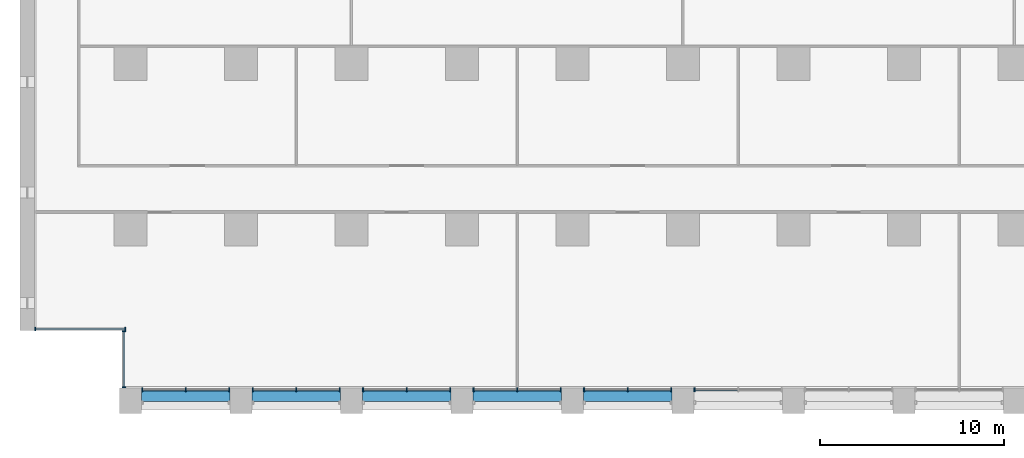
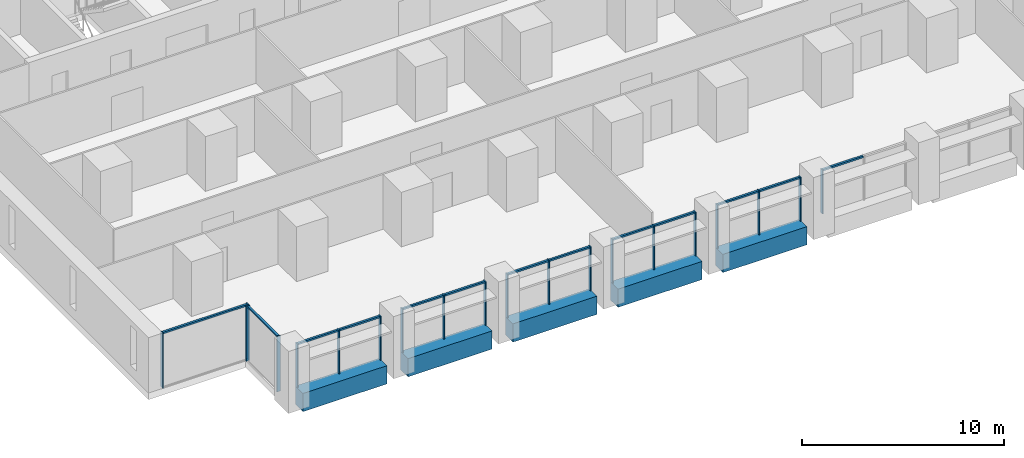
# One storey, part 2 of 18: 33 members, 5 beams, 8 elements without a shape of their own.
"""IFC4 building model written with IfcOpenShell, lengths in metres."""

from ifc_helpers import new_model, si_unit, direction, frame, origin, origin_2d, place, context, subcontext, project, spatial, rectangle, extrude, material, material_profile, profile_set, type_object, element, aggregate, save


model = new_model("IFC4")

# Units and contexts
model_context = context("Model", 3, precision=1e-05, world=origin(), true_north=direction((0.0, 1.0)))
body_context = subcontext(model_context, "Body", "Model", "MODEL_VIEW")
ifc_project = project(units=[si_unit("LENGTHUNIT", "METRE"), si_unit("AREAUNIT", "SQUARE_METRE"), si_unit("VOLUMEUNIT", "CUBIC_METRE"), si_unit("PLANEANGLEUNIT", "RADIAN"), si_unit("MASSUNIT", "GRAM", prefix="KILO")], contexts=[model_context])

# Site, building, storey
site_placement = place(None, origin())
site = spatial("IfcSite", under=ifc_project, at=site_placement, CompositionType="ELEMENT")
building_placement = place(site_placement, origin())
building = spatial("IfcBuilding", under=site, at=building_placement, Name="Calvaro Tower", CompositionType="ELEMENT")
storey_placement = place(building_placement, frame((0.0, 0.0, 33.75)))
storey = spatial("IfcBuildingStorey", under=building, at=storey_placement, Name="L07", CompositionType="ELEMENT", Elevation=33.75)

# Curtain wall, members
ifc_material_1 = material(Name="Anodised aluminium", Category="aluminium")
curtain_wall_type = type_object("IfcCurtainWallType", Name="Office curtain wall, lower zone", PredefinedType="NOTDEFINED", material=ifc_material_1)
curtain_wall_1_placement = place(storey_placement, origin())
curtain_wall_1 = element("IfcCurtainWall", 1, at=curtain_wall_1_placement, inside=storey, type_object=curtain_wall_type, Name="CW1 south curtain wall", PredefinedType="NOTDEFINED")
ifc_material_2 = material(Name="Anodised aluminium", Category="aluminium")
ifc_material_profile_1 = material_profile(ifc_material_2, rectangle(XDim=0.199951171875, YDim=0.06005859375, at=origin_2d()), Name="Mullion S1 60 x 200")
ifc_profile_set_1 = profile_set([ifc_material_profile_1], Name="Anodised aluminium")
member_type_1 = type_object("IfcMemberType", Name="Mullion S1 60 x 200", PredefinedType="MULLION", material=ifc_profile_set_1)
member_1_placement = place(storey_placement, frame((6.6298828125, 1.300048828125, 0.0), z_axis=(0.0, 0.0, 1.0), x_axis=(0.0, 1.0, 0.0)))
member_1 = element("IfcMember", 2, at=member_1_placement, type_object=member_type_1, Name="CW1 mullion 1", PredefinedType="MULLION", context=body_context, shape_type="SweptSolid", body=[
    extrude(rectangle(XDim=0.199951171875, YDim=0.06005859375, at=origin_2d()), origin(), (0.0, 0.0, 1.0), 2.64990234375),
])
member_2_placement = place(storey_placement, frame((9.0, 1.300048828125, 0.0), z_axis=(0.0, 0.0, 1.0), x_axis=(0.0, 1.0, 0.0)))
member_2 = element("IfcMember", 3, at=member_2_placement, type_object=member_type_1, Name="CW1 mullion 2", PredefinedType="MULLION", context=body_context, shape_type="SweptSolid", body=[
    extrude(rectangle(XDim=0.199951171875, YDim=0.06005859375, at=origin_2d()), origin(), (0.0, 0.0, 1.0), 2.64990234375),
])
member_3_placement = place(storey_placement, frame((11.3701171875, 1.300048828125, 0.0), z_axis=(0.0, 0.0, 1.0), x_axis=(0.0, 1.0, 0.0)))
member_3 = element("IfcMember", 4, at=member_3_placement, type_object=member_type_1, Name="CW1 mullion 3", PredefinedType="MULLION", context=body_context, shape_type="SweptSolid", body=[
    extrude(rectangle(XDim=0.199951171875, YDim=0.06005859375, at=origin_2d()), origin(), (0.0, 0.0, 1.0), 2.64990234375),
])

curtain_wall_2_placement = place(storey_placement, origin())
curtain_wall_2 = element("IfcCurtainWall", 5, at=curtain_wall_2_placement, inside=storey, type_object=curtain_wall_type, Name="CW1 south curtain wall", PredefinedType="NOTDEFINED")
member_4_placement = place(storey_placement, frame((12.6298828125, 1.300048828125, 0.0), z_axis=(0.0, 0.0, 1.0), x_axis=(0.0, 1.0, 0.0)))
member_4 = element("IfcMember", 6, at=member_4_placement, type_object=member_type_1, Name="CW1 mullion 1", PredefinedType="MULLION", context=body_context, shape_type="SweptSolid", body=[
    extrude(rectangle(XDim=0.199951171875, YDim=0.06005859375, at=origin_2d()), origin(), (0.0, 0.0, 1.0), 2.64990234375),
])
member_5_placement = place(storey_placement, frame((15.0, 1.300048828125, 0.0), z_axis=(0.0, 0.0, 1.0), x_axis=(0.0, 1.0, 0.0)))
member_5 = element("IfcMember", 7, at=member_5_placement, type_object=member_type_1, Name="CW1 mullion 2", PredefinedType="MULLION", context=body_context, shape_type="SweptSolid", body=[
    extrude(rectangle(XDim=0.199951171875, YDim=0.06005859375, at=origin_2d()), origin(), (0.0, 0.0, 1.0), 2.64990234375),
])
member_6_placement = place(storey_placement, frame((17.3701171875, 1.300048828125, 0.0), z_axis=(0.0, 0.0, 1.0), x_axis=(0.0, 1.0, 0.0)))
member_6 = element("IfcMember", 8, at=member_6_placement, type_object=member_type_1, Name="CW1 mullion 3", PredefinedType="MULLION", context=body_context, shape_type="SweptSolid", body=[
    extrude(rectangle(XDim=0.199951171875, YDim=0.06005859375, at=origin_2d()), origin(), (0.0, 0.0, 1.0), 2.64990234375),
])

curtain_wall_3_placement = place(storey_placement, origin())
curtain_wall_3 = element("IfcCurtainWall", 9, at=curtain_wall_3_placement, inside=storey, type_object=curtain_wall_type, Name="CW1 south curtain wall", PredefinedType="NOTDEFINED")
member_7_placement = place(storey_placement, frame((18.6298828125, 1.300048828125, 0.0), z_axis=(0.0, 0.0, 1.0), x_axis=(0.0, 1.0, 0.0)))
member_7 = element("IfcMember", 10, at=member_7_placement, type_object=member_type_1, Name="CW1 mullion 1", PredefinedType="MULLION", context=body_context, shape_type="SweptSolid", body=[
    extrude(rectangle(XDim=0.199951171875, YDim=0.06005859375, at=origin_2d()), origin(), (0.0, 0.0, 1.0), 2.64990234375),
])
member_8_placement = place(storey_placement, frame((21.0, 1.300048828125, 0.0), z_axis=(0.0, 0.0, 1.0), x_axis=(0.0, 1.0, 0.0)))
member_8 = element("IfcMember", 11, at=member_8_placement, type_object=member_type_1, Name="CW1 mullion 2", PredefinedType="MULLION", context=body_context, shape_type="SweptSolid", body=[
    extrude(rectangle(XDim=0.199951171875, YDim=0.06005859375, at=origin_2d()), origin(), (0.0, 0.0, 1.0), 2.64990234375),
])
member_9_placement = place(storey_placement, frame((23.3701171875, 1.300048828125, 0.0), z_axis=(0.0, 0.0, 1.0), x_axis=(0.0, 1.0, 0.0)))
member_9 = element("IfcMember", 12, at=member_9_placement, type_object=member_type_1, Name="CW1 mullion 3", PredefinedType="MULLION", context=body_context, shape_type="SweptSolid", body=[
    extrude(rectangle(XDim=0.199951171875, YDim=0.06005859375, at=origin_2d()), origin(), (0.0, 0.0, 1.0), 2.64990234375),
])

curtain_wall_4_placement = place(storey_placement, origin())
curtain_wall_4 = element("IfcCurtainWall", 13, at=curtain_wall_4_placement, inside=storey, type_object=curtain_wall_type, Name="CW1 south curtain wall", PredefinedType="NOTDEFINED")
member_10_placement = place(storey_placement, frame((24.6298828125, 1.300048828125, 0.0), z_axis=(0.0, 0.0, 1.0), x_axis=(0.0, 1.0, 0.0)))
member_10 = element("IfcMember", 14, at=member_10_placement, type_object=member_type_1, Name="CW1 mullion 1", PredefinedType="MULLION", context=body_context, shape_type="SweptSolid", body=[
    extrude(rectangle(XDim=0.199951171875, YDim=0.06005859375, at=origin_2d()), origin(), (0.0, 0.0, 1.0), 2.64990234375),
])
member_11_placement = place(storey_placement, frame((27.0, 1.300048828125, 0.0), z_axis=(0.0, 0.0, 1.0), x_axis=(0.0, 1.0, 0.0)))
member_11 = element("IfcMember", 15, at=member_11_placement, type_object=member_type_1, Name="CW1 mullion 2", PredefinedType="MULLION", context=body_context, shape_type="SweptSolid", body=[
    extrude(rectangle(XDim=0.199951171875, YDim=0.06005859375, at=origin_2d()), origin(), (0.0, 0.0, 1.0), 2.64990234375),
])
member_12_placement = place(storey_placement, frame((29.3701171875, 1.300048828125, 0.0), z_axis=(0.0, 0.0, 1.0), x_axis=(0.0, 1.0, 0.0)))
member_12 = element("IfcMember", 16, at=member_12_placement, type_object=member_type_1, Name="CW1 mullion 3", PredefinedType="MULLION", context=body_context, shape_type="SweptSolid", body=[
    extrude(rectangle(XDim=0.199951171875, YDim=0.06005859375, at=origin_2d()), origin(), (0.0, 0.0, 1.0), 2.64990234375),
])

curtain_wall_5_placement = place(storey_placement, origin())
curtain_wall_5 = element("IfcCurtainWall", 17, at=curtain_wall_5_placement, inside=storey, type_object=curtain_wall_type, Name="CW1 south curtain wall", PredefinedType="NOTDEFINED")
member_13_placement = place(storey_placement, frame((30.6298828125, 1.300048828125, 0.0), z_axis=(0.0, 0.0, 1.0), x_axis=(0.0, 1.0, 0.0)))
member_13 = element("IfcMember", 18, at=member_13_placement, type_object=member_type_1, Name="CW1 mullion 1", PredefinedType="MULLION", context=body_context, shape_type="SweptSolid", body=[
    extrude(rectangle(XDim=0.199951171875, YDim=0.06005859375, at=origin_2d()), origin(), (0.0, 0.0, 1.0), 2.64990234375),
])
member_14_placement = place(storey_placement, frame((33.0, 1.300048828125, 0.0), z_axis=(0.0, 0.0, 1.0), x_axis=(0.0, 1.0, 0.0)))
member_14 = element("IfcMember", 19, at=member_14_placement, type_object=member_type_1, Name="CW1 mullion 2", PredefinedType="MULLION", context=body_context, shape_type="SweptSolid", body=[
    extrude(rectangle(XDim=0.199951171875, YDim=0.06005859375, at=origin_2d()), origin(), (0.0, 0.0, 1.0), 2.64990234375),
])
member_15_placement = place(storey_placement, frame((35.3701171875, 1.300048828125, 0.0), z_axis=(0.0, 0.0, 1.0), x_axis=(0.0, 1.0, 0.0)))
member_15 = element("IfcMember", 20, at=member_15_placement, type_object=member_type_1, Name="CW1 mullion 3", PredefinedType="MULLION", context=body_context, shape_type="SweptSolid", body=[
    extrude(rectangle(XDim=0.199951171875, YDim=0.06005859375, at=origin_2d()), origin(), (0.0, 0.0, 1.0), 2.64990234375),
])

# Curtain wall, member
curtain_wall_6_placement = place(storey_placement, origin())
curtain_wall_6 = element("IfcCurtainWall", 21, at=curtain_wall_6_placement, inside=storey, type_object=curtain_wall_type, Name="CW1 south curtain wall", PredefinedType="NOTDEFINED")
member_16_placement = place(storey_placement, frame((36.6298828125, 1.300048828125, 0.0), z_axis=(0.0, 0.0, 1.0), x_axis=(0.0, 1.0, 0.0)))
member_16 = element("IfcMember", 22, at=member_16_placement, type_object=member_type_1, Name="CW1 mullion 1", PredefinedType="MULLION", context=body_context, shape_type="SweptSolid", body=[
    extrude(rectangle(XDim=0.199951171875, YDim=0.06005859375, at=origin_2d()), origin(), (0.0, 0.0, 1.0), 2.64990234375),
])

# Curtain wall, members
curtain_wall_7_placement = place(storey_placement, origin())
curtain_wall_7 = element("IfcCurtainWall", 23, at=curtain_wall_7_placement, inside=storey, type_object=curtain_wall_type, Name="CW1 corner curtain wall", PredefinedType="NOTDEFINED")
member_17_placement = place(storey_placement, frame((5.64990234375, 1.429931640625, 0.0), z_axis=(0.0, 0.0, 1.0), x_axis=(-1.0, 0.0, 0.0)))
member_17 = element("IfcMember", 24, at=member_17_placement, type_object=member_type_1, Name="CW1 mullion 1", PredefinedType="MULLION", context=body_context, shape_type="SweptSolid", body=[
    extrude(rectangle(XDim=0.199951171875, YDim=0.06005859375, at=origin_2d()), origin(), (0.0, 0.0, 1.0), 3.35009765625),
])
member_18_placement = place(storey_placement, frame((5.64990234375, 4.469970703125, 0.0), z_axis=(0.0, 0.0, 1.0), x_axis=(-1.0, 0.0, 0.0)))
member_18 = element("IfcMember", 25, at=member_18_placement, type_object=member_type_1, Name="CW1 mullion 2", PredefinedType="MULLION", context=body_context, shape_type="SweptSolid", body=[
    extrude(rectangle(XDim=0.199951171875, YDim=0.06005859375, at=origin_2d()), origin(), (0.0, 0.0, 1.0), 3.35009765625),
])

curtain_wall_8_placement = place(storey_placement, origin())
curtain_wall_8 = element("IfcCurtainWall", 26, at=curtain_wall_8_placement, inside=storey, type_object=curtain_wall_type, Name="CW1 corner curtain wall", PredefinedType="NOTDEFINED")
member_19_placement = place(storey_placement, frame((0.830078125, 4.60009765625, 0.0), z_axis=(0.0, 0.0, 1.0), x_axis=(0.0, 1.0, 0.0)))
member_19 = element("IfcMember", 27, at=member_19_placement, type_object=member_type_1, Name="CW1 mullion 1", PredefinedType="MULLION", context=body_context, shape_type="SweptSolid", body=[
    extrude(rectangle(XDim=0.199951171875, YDim=0.06005859375, at=origin_2d()), origin(), (0.0, 0.0, 1.0), 3.35009765625),
])
member_20_placement = place(storey_placement, frame((5.719970703125, 4.60009765625, 0.0), z_axis=(0.0, 0.0, 1.0), x_axis=(0.0, 1.0, 0.0)))
member_20 = element("IfcMember", 28, at=member_20_placement, type_object=member_type_1, Name="CW1 mullion 2", PredefinedType="MULLION", context=body_context, shape_type="SweptSolid", body=[
    extrude(rectangle(XDim=0.199951171875, YDim=0.06005859375, at=origin_2d()), origin(), (0.0, 0.0, 1.0), 3.35009765625),
])

# Beams
ifc_material_3 = material(Name="Concrete C50/60 precast", Category="concrete")
ifc_material_profile_2 = material_profile(ifc_material_3, rectangle(XDim=0.75, YDim=1.10009765625, at=origin_2d()), Name="RC 750x1100")
ifc_profile_set_2 = profile_set([ifc_material_profile_2], Name="Concrete C50/60 precast")
beam_type = type_object("IfcBeamType", Name="Spandrel beam 750x1100 C50/60", PredefinedType="SPANDREL", material=ifc_profile_set_2)
for number, where, z_axis, x_axis, name in (
    (29, (6.60009765625, 1.02490234375, -0.550048828125), (1.0, 0.0, 0.0), (0.0, 1.0, 0.0), "Spandrel beam"),
    (30, (12.60009765625, 1.02490234375, -0.550048828125), (1.0, 0.0, 0.0), (0.0, 1.0, 0.0), "Spandrel beam"),
    (31, (18.60009765625, 1.02490234375, -0.550048828125), (1.0, 0.0, 0.0), (0.0, 1.0, 0.0), "Spandrel beam"),
    (32, (24.60009765625, 1.02490234375, -0.550048828125), (1.0, 0.0, 0.0), (0.0, 1.0, 0.0), "Spandrel beam"),
    (33, (30.60009765625, 1.02490234375, -0.550048828125), (1.0, 0.0, 0.0), (0.0, 1.0, 0.0), "Spandrel beam"),
):
    element("IfcBeam", number, at=place(storey_placement, frame(where, z_axis=z_axis, x_axis=x_axis)), inside=storey, type_object=beam_type, Name=name, PredefinedType="SPANDREL", context=body_context, shape_type="SweptSolid", body=[
        extrude(rectangle(XDim=0.75, YDim=1.10009765625, at=origin_2d()), origin(), (0.0, 0.0, 1.0), 4.7998046875),
    ])

# Member
ifc_material_4 = material(Name="Anodised aluminium", Category="aluminium")
ifc_material_profile_3 = material_profile(ifc_material_4, rectangle(XDim=0.1201171875, YDim=0.10009765625, at=origin_2d()), Name="Transom S1 100 x 120")
ifc_profile_set_3 = profile_set([ifc_material_profile_3], Name="Anodised aluminium")
member_type_2 = type_object("IfcMemberType", Name="Transom S1 100 x 120", PredefinedType="USERDEFINED", material=ifc_profile_set_3)
member_21_placement = place(storey_placement, frame((6.659912109375, 1.300048828125, 2.60009765625), z_axis=(1.0, 0.0, 0.0), x_axis=(0.0, 1.0, 0.0)))
member_21 = element("IfcMember", 34, at=member_21_placement, type_object=member_type_2, Name="CW1 transom 1.1", ObjectType="TRANSOM", PredefinedType="USERDEFINED", context=body_context, shape_type="SweptSolid", body=[
    extrude(rectangle(XDim=0.1201171875, YDim=0.10009765625, at=origin_2d()), origin(), (0.0, 0.0, 1.0), 2.31005859375),
])

member_22_placement = place(storey_placement, frame((9.030029296875, 1.300048828125, 2.60009765625), z_axis=(1.0, 0.0, 0.0), x_axis=(0.0, 1.0, 0.0)))
member_22 = element("IfcMember", 35, at=member_22_placement, type_object=member_type_2, Name="CW1 transom 2.1", ObjectType="TRANSOM", PredefinedType="USERDEFINED", context=body_context, shape_type="SweptSolid", body=[
    extrude(rectangle(XDim=0.1201171875, YDim=0.10009765625, at=origin_2d()), origin(), (0.0, 0.0, 1.0), 2.31005859375),
])

aggregate(curtain_wall_1, [member_1, member_2, member_3, member_21, member_22])

member_23_placement = place(storey_placement, frame((12.659912109375, 1.300048828125, 2.60009765625), z_axis=(1.0, 0.0, 0.0), x_axis=(0.0, 1.0, 0.0)))
member_23 = element("IfcMember", 36, at=member_23_placement, type_object=member_type_2, Name="CW1 transom 1.1", ObjectType="TRANSOM", PredefinedType="USERDEFINED", context=body_context, shape_type="SweptSolid", body=[
    extrude(rectangle(XDim=0.1201171875, YDim=0.10009765625, at=origin_2d()), origin(), (0.0, 0.0, 1.0), 2.31005859375),
])

member_24_placement = place(storey_placement, frame((15.030029296875, 1.300048828125, 2.60009765625), z_axis=(1.0, 0.0, 0.0), x_axis=(0.0, 1.0, 0.0)))
member_24 = element("IfcMember", 37, at=member_24_placement, type_object=member_type_2, Name="CW1 transom 2.1", ObjectType="TRANSOM", PredefinedType="USERDEFINED", context=body_context, shape_type="SweptSolid", body=[
    extrude(rectangle(XDim=0.1201171875, YDim=0.10009765625, at=origin_2d()), origin(), (0.0, 0.0, 1.0), 2.31005859375),
])

aggregate(curtain_wall_2, [member_4, member_5, member_6, member_23, member_24])

member_25_placement = place(storey_placement, frame((18.659912109375, 1.300048828125, 2.60009765625), z_axis=(1.0, 0.0, 0.0), x_axis=(0.0, 1.0, 0.0)))
member_25 = element("IfcMember", 38, at=member_25_placement, type_object=member_type_2, Name="CW1 transom 1.1", ObjectType="TRANSOM", PredefinedType="USERDEFINED", context=body_context, shape_type="SweptSolid", body=[
    extrude(rectangle(XDim=0.1201171875, YDim=0.10009765625, at=origin_2d()), origin(), (0.0, 0.0, 1.0), 2.31005859375),
])

member_26_placement = place(storey_placement, frame((21.030029296875, 1.300048828125, 2.60009765625), z_axis=(1.0, 0.0, 0.0), x_axis=(0.0, 1.0, 0.0)))
member_26 = element("IfcMember", 39, at=member_26_placement, type_object=member_type_2, Name="CW1 transom 2.1", ObjectType="TRANSOM", PredefinedType="USERDEFINED", context=body_context, shape_type="SweptSolid", body=[
    extrude(rectangle(XDim=0.1201171875, YDim=0.10009765625, at=origin_2d()), origin(), (0.0, 0.0, 1.0), 2.31005859375),
])

aggregate(curtain_wall_3, [member_7, member_8, member_9, member_25, member_26])

member_27_placement = place(storey_placement, frame((24.659912109375, 1.300048828125, 2.60009765625), z_axis=(1.0, 0.0, 0.0), x_axis=(0.0, 1.0, 0.0)))
member_27 = element("IfcMember", 40, at=member_27_placement, type_object=member_type_2, Name="CW1 transom 1.1", ObjectType="TRANSOM", PredefinedType="USERDEFINED", context=body_context, shape_type="SweptSolid", body=[
    extrude(rectangle(XDim=0.1201171875, YDim=0.10009765625, at=origin_2d()), origin(), (0.0, 0.0, 1.0), 2.31005859375),
])

member_28_placement = place(storey_placement, frame((27.030029296875, 1.300048828125, 2.60009765625), z_axis=(1.0, 0.0, 0.0), x_axis=(0.0, 1.0, 0.0)))
member_28 = element("IfcMember", 41, at=member_28_placement, type_object=member_type_2, Name="CW1 transom 2.1", ObjectType="TRANSOM", PredefinedType="USERDEFINED", context=body_context, shape_type="SweptSolid", body=[
    extrude(rectangle(XDim=0.1201171875, YDim=0.10009765625, at=origin_2d()), origin(), (0.0, 0.0, 1.0), 2.31005859375),
])

aggregate(curtain_wall_4, [member_10, member_11, member_12, member_27, member_28])

member_29_placement = place(storey_placement, frame((30.659912109375, 1.300048828125, 2.60009765625), z_axis=(1.0, 0.0, 0.0), x_axis=(0.0, 1.0, 0.0)))
member_29 = element("IfcMember", 42, at=member_29_placement, type_object=member_type_2, Name="CW1 transom 1.1", ObjectType="TRANSOM", PredefinedType="USERDEFINED", context=body_context, shape_type="SweptSolid", body=[
    extrude(rectangle(XDim=0.1201171875, YDim=0.10009765625, at=origin_2d()), origin(), (0.0, 0.0, 1.0), 2.31005859375),
])

member_30_placement = place(storey_placement, frame((33.030029296875, 1.300048828125, 2.60009765625), z_axis=(1.0, 0.0, 0.0), x_axis=(0.0, 1.0, 0.0)))
member_30 = element("IfcMember", 43, at=member_30_placement, type_object=member_type_2, Name="CW1 transom 2.1", ObjectType="TRANSOM", PredefinedType="USERDEFINED", context=body_context, shape_type="SweptSolid", body=[
    extrude(rectangle(XDim=0.1201171875, YDim=0.10009765625, at=origin_2d()), origin(), (0.0, 0.0, 1.0), 2.31005859375),
])

aggregate(curtain_wall_5, [member_13, member_14, member_15, member_29, member_30])

member_31_placement = place(storey_placement, frame((36.659912109375, 1.300048828125, 2.60009765625), z_axis=(1.0, 0.0, 0.0), x_axis=(0.0, 1.0, 0.0)))
member_31 = element("IfcMember", 44, at=member_31_placement, type_object=member_type_2, Name="CW1 transom 1.1", ObjectType="TRANSOM", PredefinedType="USERDEFINED", context=body_context, shape_type="SweptSolid", body=[
    extrude(rectangle(XDim=0.1201171875, YDim=0.10009765625, at=origin_2d()), origin(), (0.0, 0.0, 1.0), 2.31005859375),
])

aggregate(curtain_wall_6, [member_16, member_31])

member_32_placement = place(storey_placement, frame((5.64990234375, 1.4599609375, 3.300048828125), z_axis=(0.0, 1.0, 0.0), x_axis=(-1.0, 0.0, 0.0)))
member_32 = element("IfcMember", 45, at=member_32_placement, type_object=member_type_2, Name="CW1 transom 1.1", ObjectType="TRANSOM", PredefinedType="USERDEFINED", context=body_context, shape_type="SweptSolid", body=[
    extrude(rectangle(XDim=0.1201171875, YDim=0.10009765625, at=origin_2d()), origin(), (0.0, 0.0, 1.0), 2.97998046875),
])

aggregate(curtain_wall_7, [member_17, member_18, member_32])

member_33_placement = place(storey_placement, frame((0.860107421875, 4.60009765625, 3.300048828125), z_axis=(1.0, 0.0, 0.0), x_axis=(0.0, 1.0, 0.0)))
member_33 = element("IfcMember", 46, at=member_33_placement, type_object=member_type_2, Name="CW1 transom 1.1", ObjectType="TRANSOM", PredefinedType="USERDEFINED", context=body_context, shape_type="SweptSolid", body=[
    extrude(rectangle(XDim=0.1201171875, YDim=0.10009765625, at=origin_2d()), origin(), (0.0, 0.0, 1.0), 4.829833984375),
])

aggregate(curtain_wall_8, [member_19, member_20, member_33])

save(model, "model.ifc")
